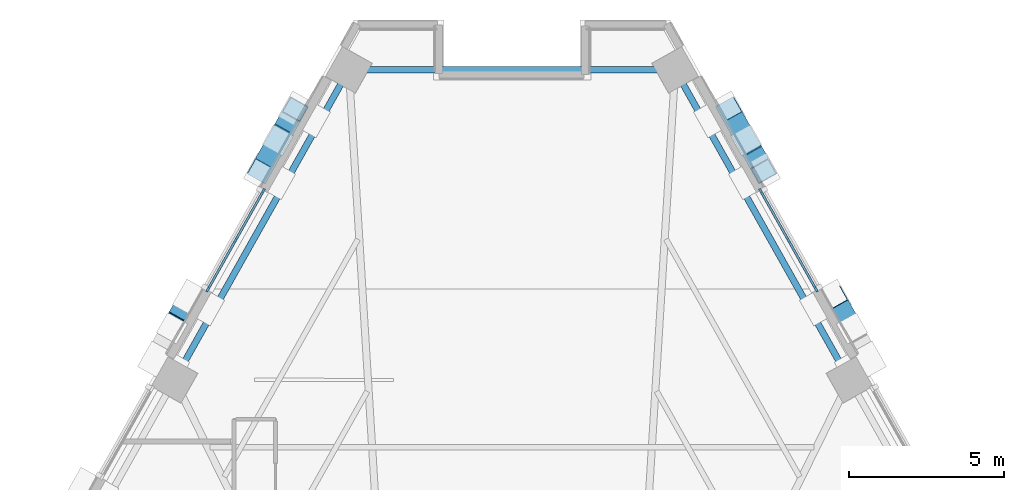
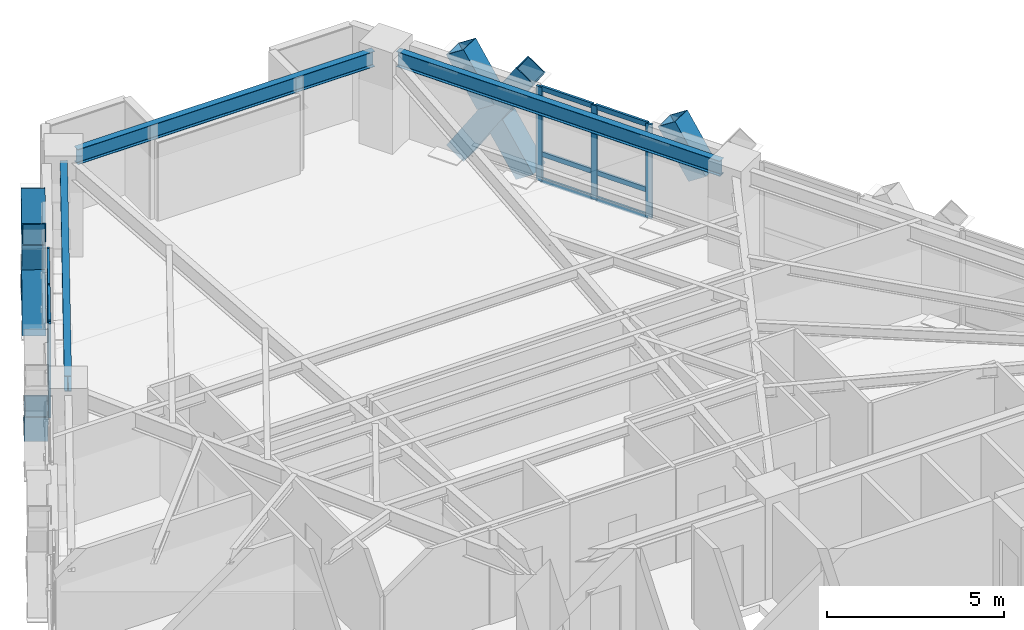
# One storey, part 5 of 14: 26 members, 3 beams, 2 elements without a shape of their own.
"""IFC4 building model written with IfcOpenShell, lengths in metres."""

import ifcopenshell
import ifcopenshell.guid

model = None  # the IFC model being written
_history = None  # IfcOwnerHistory: only IFC2X3 demands one
_inside = {}  # id of a spatial element -> (the spatial element, [elements in it])
_under = {}  # id of a project, library or spatial element -> (it, [spatial elements below it])
_declared = {}  # id of a project -> (the project, [libraries it declares])
_typed = {}  # id of a type object -> (the type object, [elements of that type])
_made_of = {}  # id of a material, layer set ... -> (it, [elements and type objects made of it])


def new_model(schema):
    """Start an empty IFC model of exactly this schema.

    Asked for "IFC4X3", IfcOpenShell would pick the latest addendum, in which some entities
    have other attributes; the version numbers below select the first issue.
    IFC2X3 requires an IfcOwnerHistory on every rooted entity: one is made here for all.
    """
    global model, _history
    if schema == "IFC4X3":
        model = ifcopenshell.file(schema_version=(4, 3, 0, 0))
    else:
        model = ifcopenshell.file(schema=schema)
    _inside.clear()
    _under.clear()
    _declared.clear()
    _typed.clear()
    _made_of.clear()
    _history = None
    if model.schema == "IFC2X3":
        org = make("IfcOrganization", Name="unknown")
        user = make(
            "IfcPersonAndOrganization",
            ThePerson=make("IfcPerson", FamilyName="unknown"),
            TheOrganization=org,
        )
        app = make(
            "IfcApplication",
            ApplicationDeveloper=org,
            Version="unknown",
            ApplicationFullName="unknown",
            ApplicationIdentifier="unknown",
        )
        _history = make(
            "IfcOwnerHistory",
            OwningUser=user,
            OwningApplication=app,
            ChangeAction="ADDED",
            CreationDate=0,
        )
    return model


def make(cls, **values):
    """One entity of the class cls with the attributes given. An attribute that is None is left unset."""
    return model.create_entity(
        cls, **{name: value for name, value in values.items() if value is not None}
    )


def rooted(cls, **values):
    """An entity with a GlobalId (a new one), such as an element, a storey or a relation."""
    return make(cls, GlobalId=ifcopenshell.guid.new(), OwnerHistory=_history, **values)


def si_unit(unit_type, name, prefix=None):
    """IfcSIUnit, for example si_unit("LENGTHUNIT", "METRE", prefix="MILLI")."""
    return make("IfcSIUnit", UnitType=unit_type, Prefix=prefix, Name=name)


def assignment(units):
    """IfcUnitAssignment: the units of a project."""
    return None if units is None else make("IfcUnitAssignment", Units=units)


def point(xyz):
    """IfcCartesianPoint."""
    return None if xyz is None else make("IfcCartesianPoint", Coordinates=xyz)


def direction(xyz):
    """IfcDirection."""
    return None if xyz is None else make("IfcDirection", DirectionRatios=xyz)


def frame(location, z_axis=None, x_axis=None):
    """IfcAxis2Placement3D, a coordinate frame: its origin and axes. An axis left out is left unset."""
    return make(
        "IfcAxis2Placement3D",
        Location=point(location),
        Axis=direction(z_axis),
        RefDirection=direction(x_axis),
    )


def frame_2d(location, x_axis=None):
    """IfcAxis2Placement2D, a coordinate frame in the plane: its origin and x axis."""
    return make(
        "IfcAxis2Placement2D", Location=point(location), RefDirection=direction(x_axis)
    )


def origin():
    """The frame at (0, 0, 0) with its axes left unset."""
    return frame((0.0, 0.0, 0.0))


def origin_2d():
    """The frame at (0, 0) in the plane with its x axis left unset."""
    return frame_2d((0.0, 0.0))


def place(relative_to, where):
    """IfcLocalPlacement: puts the frame where relative to a parent placement (None: the world)."""
    return make(
        "IfcLocalPlacement", PlacementRelTo=relative_to, RelativePlacement=where
    )


def context(
    kind, dimensions, precision=None, world=None, true_north=None, identifier=None
):
    """IfcGeometricRepresentationContext, for example the 3D "Model" context."""
    return make(
        "IfcGeometricRepresentationContext",
        ContextIdentifier=identifier,
        ContextType=kind,
        CoordinateSpaceDimension=dimensions,
        Precision=precision,
        WorldCoordinateSystem=world,
        TrueNorth=true_north,
    )


def subcontext(parent, identifier, kind, view, scale=None):
    """IfcGeometricRepresentationSubContext, for example "Body" below "Model"."""
    return make(
        "IfcGeometricRepresentationSubContext",
        ContextIdentifier=identifier,
        ContextType=kind,
        ParentContext=parent,
        TargetScale=scale,
        TargetView=view,
    )


def project(units=None, contexts=None):
    """IfcProject with its units and contexts."""
    return rooted(
        "IfcProject",
        Name="project",
        RepresentationContexts=contexts,
        UnitsInContext=assignment(units),
    )


def spatial(cls, under=None, at=None, **own):
    """A site, building, storey or space (cls), placed at a placement, below another one or the project."""
    s = rooted(cls, ObjectPlacement=at, **own)
    if under is not None:
        _under.setdefault(under.id(), (under, []))[1].append(s)
    return s


def profile(cls, at=None, kind="AREA", **sizes):
    """A parametric profile (cls). Its sizes go by their IFC names, for example OverallWidth=200.0."""
    return make(cls, ProfileType=kind, Position=at, **sizes)


def rectangle(**sizes):
    """IfcRectangleProfileDef."""
    return profile("IfcRectangleProfileDef", **sizes)


def hollow_rectangle(**sizes):
    """IfcRectangleHollowProfileDef."""
    return profile("IfcRectangleHollowProfileDef", **sizes)


def i_section(**sizes):
    """IfcIShapeProfileDef."""
    return profile("IfcIShapeProfileDef", **sizes)


def extrude(swept, where, along, depth):
    """IfcExtrudedAreaSolid: the profile swept, set in the frame where, extruded along a direction by depth."""
    return make(
        "IfcExtrudedAreaSolid",
        SweptArea=swept,
        Position=where,
        ExtrudedDirection=direction(along),
        Depth=depth,
    )


def shape(context_of_items, identifier, shape_type, items):
    """IfcShapeRepresentation: the items that make up one representation, for example the "Body"."""
    return make(
        "IfcShapeRepresentation",
        ContextOfItems=context_of_items,
        RepresentationIdentifier=identifier,
        RepresentationType=shape_type,
        Items=items,
    )


def material(Name=None, Category=None):
    """IfcMaterial."""
    return make("IfcMaterial", Name=Name, Category=Category)


def material_profile(
    of_material, cross_section, Name=None, Category=None, Priority=None
):
    """IfcMaterialProfile: a cross section and its material."""
    return make(
        "IfcMaterialProfile",
        Name=Name,
        Material=of_material,
        Profile=cross_section,
        Priority=Priority,
        Category=Category,
    )


def profile_set(profiles, Name=None, composite=None):
    """IfcMaterialProfileSet."""
    return make(
        "IfcMaterialProfileSet",
        Name=Name,
        MaterialProfiles=profiles,
        CompositeProfile=composite,
    )


def made_of(thing, what):
    """Note that an element or type object is made of a material, layer set ...; save() writes the relation."""
    if what is not None:
        _made_of.setdefault(what.id(), (what, []))[1].append(thing)
    return thing


def type_object(cls, material=None, **own):
    """A type object (cls), such as IfcWallType, which elements share."""
    return made_of(rooted(cls, **own), material)


def element(
    cls,
    number,
    at=None,
    inside=None,
    cuts=None,
    type_object=None,
    material=None,
    context=None,
    identifier="Body",
    shape_type=None,
    held_by="IfcProductDefinitionShape",
    body=None,
    shapes=None,
    **own,
):
    """One element of the class cls, such as IfcWall. Its Tag is "e" and its number.

    at: its placement. inside: the storey or other place that contains it. cuts: it is an
    opening in that element (IfcRelVoidsElement). A single representation is given by context,
    identifier, shape_type and body (its items); several are given by shapes. held_by: the class
    of the entity that holds the representations. save() writes the other relations.
    """
    e = rooted(cls, Tag="e%d" % number, ObjectPlacement=at, **own)
    if body is not None:
        shapes = [shape(context, identifier, shape_type, body)]
    if shapes is not None:
        e.Representation = make(held_by, Representations=shapes)
    if inside is not None:
        _inside.setdefault(inside.id(), (inside, []))[1].append(e)
    if cuts is not None:
        rooted(
            "IfcRelVoidsElement", RelatingBuildingElement=cuts, RelatedOpeningElement=e
        )
    if type_object is not None:
        _typed.setdefault(type_object.id(), (type_object, []))[1].append(e)
    return made_of(e, material)


def aggregate(whole, parts):
    """IfcRelAggregates: a whole, such as a stair, and the parts it consists of."""
    return rooted("IfcRelAggregates", RelatingObject=whole, RelatedObjects=parts)


def save(model, path):
    """Write the relations noted so far, then the file.

    IfcRelAggregates (storeys below a building ...), IfcRelContainedInSpatialStructure (elements
    in a storey), IfcRelDefinesByType, IfcRelAssociatesMaterial and IfcRelDeclares: one each for
    every whole, place, type object, material and project.
    """
    for whole, parts in _under.values():
        aggregate(whole, parts)
    for where, things in _inside.values():
        rooted(
            "IfcRelContainedInSpatialStructure",
            RelatedElements=things,
            RelatingStructure=where,
        )
    for kind, things in _typed.values():
        rooted("IfcRelDefinesByType", RelatedObjects=things, RelatingType=kind)
    for what, things in _made_of.values():
        rooted("IfcRelAssociatesMaterial", RelatedObjects=things, RelatingMaterial=what)
    for by, libraries in _declared.values():
        rooted("IfcRelDeclares", RelatingContext=by, RelatedDefinitions=libraries)
    model.write(path)


model = new_model("IFC4")

# Units and contexts
model_context = context("Model", 3, precision=1e-05, world=origin(), true_north=direction((0.0, 1.0)))
body_context = subcontext(model_context, "Body", "Model", "MODEL_VIEW")
ifc_project = project(units=[si_unit("LENGTHUNIT", "METRE"), si_unit("AREAUNIT", "SQUARE_METRE"), si_unit("VOLUMEUNIT", "CUBIC_METRE"), si_unit("PLANEANGLEUNIT", "RADIAN"), si_unit("MASSUNIT", "GRAM", prefix="KILO")], contexts=[model_context])

# Site, building, storey
site_placement = place(None, origin())
site = spatial("IfcSite", under=ifc_project, at=site_placement, CompositionType="ELEMENT")
building_placement = place(site_placement, origin())
building = spatial("IfcBuilding", under=site, at=building_placement, Name="Quenlor Broadcast Tower", CompositionType="ELEMENT")
storey_placement = place(building_placement, frame((0.0, 0.0, 123.0)))
storey = spatial("IfcBuildingStorey", under=building, at=storey_placement, Name="L33", CompositionType="ELEMENT", Elevation=123.0)

# Curtain wall, members
ifc_material_1 = material(Name="Architectural Terracotta and Low-E Glazing", Category="masonry")
curtain_wall_type = type_object("IfcCurtainWallType", Name="Unitised Terracotta Curtain Wall System Z2", PredefinedType="NOTDEFINED", material=ifc_material_1)
curtain_wall_1_placement = place(storey_placement, origin())
curtain_wall_1 = element("IfcCurtainWall", 1, at=curtain_wall_1_placement, inside=storey, type_object=curtain_wall_type, Name="L33 Curtain Wall CW2 (L33-NEA-G1)", PredefinedType="NOTDEFINED")
ifc_material_2 = material(Name="Aluminium 6063-T6", Category="aluminium")
ifc_material_profile_1 = material_profile(ifc_material_2, rectangle(XDim=0.074951171875, YDim=0.199951171875, at=origin_2d()))
ifc_profile_set_1 = profile_set([ifc_material_profile_1], Name="Aluminium 6063-T6 MULL75x200")
member_type_1 = type_object("IfcMemberType", Name="CW2 Aluminium Mullion MULL_CW2", PredefinedType="MULLION", material=ifc_profile_set_1)
member_1_placement = place(storey_placement, frame((8.031005859375, 15.79638671875, 0.0), z_axis=(0.0, 0.0, 1.0), x_axis=(0.871573362898, 0.490265104904, 0.0)))
member_1 = element("IfcMember", 2, at=member_1_placement, type_object=member_type_1, Name="CW2 mullion 1", PredefinedType="MULLION", context=body_context, shape_type="SweptSolid", body=[
    extrude(rectangle(XDim=0.074951171875, YDim=0.199951171875, at=origin_2d()), origin(), (0.0, 0.0, 1.0), 3.25),
])
member_2_placement = place(storey_placement, frame((8.916015625, 14.22314453125, 0.0), z_axis=(0.0, 0.0, 1.0), x_axis=(0.871573362898, 0.490265104904, 0.0)))
member_2 = element("IfcMember", 3, at=member_2_placement, type_object=member_type_1, Name="CW2 mullion 2", PredefinedType="MULLION", context=body_context, shape_type="SweptSolid", body=[
    extrude(rectangle(XDim=0.074951171875, YDim=0.199951171875, at=origin_2d()), origin(), (0.0, 0.0, 1.0), 3.25),
])
member_3_placement = place(storey_placement, frame((9.80078125, 12.64990234375, 0.0), z_axis=(0.0, 0.0, 1.0), x_axis=(0.871573362898, 0.490265104904, 0.0)))
member_3 = element("IfcMember", 4, at=member_3_placement, type_object=member_type_1, Name="CW2 mullion 3", PredefinedType="MULLION", context=body_context, shape_type="SweptSolid", body=[
    extrude(rectangle(XDim=0.074951171875, YDim=0.199951171875, at=origin_2d()), origin(), (0.0, 0.0, 1.0), 3.25),
])

curtain_wall_2_placement = place(storey_placement, origin())
curtain_wall_2 = element("IfcCurtainWall", 5, at=curtain_wall_2_placement, inside=storey, type_object=curtain_wall_type, Name="L33 Curtain Wall CW2 (L33-NWC-G1)", PredefinedType="NOTDEFINED")
member_4_placement = place(storey_placement, frame((-9.80078125, 12.64990234375, 0.0), z_axis=(0.0, 0.0, 1.0), x_axis=(-0.871573362898, 0.490265104904, 0.0)))
member_4 = element("IfcMember", 6, at=member_4_placement, type_object=member_type_1, Name="CW2 mullion 1", PredefinedType="MULLION", context=body_context, shape_type="SweptSolid", body=[
    extrude(rectangle(XDim=0.074951171875, YDim=0.199951171875, at=origin_2d()), origin(), (0.0, 0.0, 1.0), 3.25),
])
member_5_placement = place(storey_placement, frame((-8.916015625, 14.22314453125, 0.0), z_axis=(0.0, 0.0, 1.0), x_axis=(-0.871573362898, 0.490265104904, 0.0)))
member_5 = element("IfcMember", 7, at=member_5_placement, type_object=member_type_1, Name="CW2 mullion 2", PredefinedType="MULLION", context=body_context, shape_type="SweptSolid", body=[
    extrude(rectangle(XDim=0.074951171875, YDim=0.199951171875, at=origin_2d()), origin(), (0.0, 0.0, 1.0), 3.25),
])
member_6_placement = place(storey_placement, frame((-8.031005859375, 15.79638671875, 0.0), z_axis=(0.0, 0.0, 1.0), x_axis=(-0.871573362898, 0.490265104904, 0.0)))
member_6 = element("IfcMember", 8, at=member_6_placement, type_object=member_type_1, Name="CW2 mullion 3", PredefinedType="MULLION", context=body_context, shape_type="SweptSolid", body=[
    extrude(rectangle(XDim=0.074951171875, YDim=0.199951171875, at=origin_2d()), origin(), (0.0, 0.0, 1.0), 3.25),
])

# Member
ifc_material_3 = material(Name="Aluminium 6063-T6", Category="aluminium")
ifc_material_profile_2 = material_profile(ifc_material_3, rectangle(XDim=0.074951171875, YDim=0.1650390625, at=origin_2d()))
ifc_profile_set_2 = profile_set([ifc_material_profile_2], Name="Aluminium 6063-T6 TRAN75x165")
member_type_2 = type_object("IfcMemberType", Name="CW2 Aluminium Transom TRAN_CW2", PredefinedType="USERDEFINED", material=ifc_profile_set_2)
member_7_placement = place(storey_placement, frame((8.04931640625, 15.763671875, 0.03759765625), z_axis=(0.490261239633, -0.871575537125, 0.0), x_axis=(0.871575537125, 0.490261239633, 0.0)))
member_7 = element("IfcMember", 9, at=member_7_placement, type_object=member_type_2, Name="CW2 transom 1.1", ObjectType="TRANSOM", PredefinedType="USERDEFINED", context=body_context, shape_type="SweptSolid", body=[
    extrude(rectangle(XDim=0.074951171875, YDim=0.1650390625, at=origin_2d()), origin(), (0.0, 0.0, 1.0), 1.72998046875),
])

member_8_placement = place(storey_placement, frame((8.04931640625, 15.763671875, 0.949951171875), z_axis=(0.490261239633, -0.871575537125, 0.0), x_axis=(0.871575537125, 0.490261239633, 0.0)))
member_8 = element("IfcMember", 10, at=member_8_placement, type_object=member_type_2, Name="CW2 transom 1.2", ObjectType="TRANSOM", PredefinedType="USERDEFINED", context=body_context, shape_type="SweptSolid", body=[
    extrude(rectangle(XDim=0.074951171875, YDim=0.1650390625, at=origin_2d()), origin(), (0.0, 0.0, 1.0), 1.72998046875),
])

member_9_placement = place(storey_placement, frame((8.04931640625, 15.763671875, 3.21240234375), z_axis=(0.490261239633, -0.871575537125, 0.0), x_axis=(0.871575537125, 0.490261239633, 0.0)))
member_9 = element("IfcMember", 11, at=member_9_placement, type_object=member_type_2, Name="CW2 transom 1.3", ObjectType="TRANSOM", PredefinedType="USERDEFINED", context=body_context, shape_type="SweptSolid", body=[
    extrude(rectangle(XDim=0.074951171875, YDim=0.1650390625, at=origin_2d()), origin(), (0.0, 0.0, 1.0), 1.72998046875),
])

member_10_placement = place(storey_placement, frame((8.934326171875, 14.1904296875, 0.03759765625), z_axis=(0.490261239633, -0.871575537125, 0.0), x_axis=(0.871575537125, 0.490261239633, 0.0)))
member_10 = element("IfcMember", 12, at=member_10_placement, type_object=member_type_2, Name="CW2 transom 2.1", ObjectType="TRANSOM", PredefinedType="USERDEFINED", context=body_context, shape_type="SweptSolid", body=[
    extrude(rectangle(XDim=0.074951171875, YDim=0.1650390625, at=origin_2d()), origin(), (0.0, 0.0, 1.0), 1.72998046875),
])

member_11_placement = place(storey_placement, frame((8.934326171875, 14.1904296875, 0.949951171875), z_axis=(0.490261239633, -0.871575537125, 0.0), x_axis=(0.871575537125, 0.490261239633, 0.0)))
member_11 = element("IfcMember", 13, at=member_11_placement, type_object=member_type_2, Name="CW2 transom 2.2", ObjectType="TRANSOM", PredefinedType="USERDEFINED", context=body_context, shape_type="SweptSolid", body=[
    extrude(rectangle(XDim=0.074951171875, YDim=0.1650390625, at=origin_2d()), origin(), (0.0, 0.0, 1.0), 1.72998046875),
])

member_12_placement = place(storey_placement, frame((8.934326171875, 14.1904296875, 3.21240234375), z_axis=(0.490261239633, -0.871575537125, 0.0), x_axis=(0.871575537125, 0.490261239633, 0.0)))
member_12 = element("IfcMember", 14, at=member_12_placement, type_object=member_type_2, Name="CW2 transom 2.3", ObjectType="TRANSOM", PredefinedType="USERDEFINED", context=body_context, shape_type="SweptSolid", body=[
    extrude(rectangle(XDim=0.074951171875, YDim=0.1650390625, at=origin_2d()), origin(), (0.0, 0.0, 1.0), 1.72998046875),
])

aggregate(curtain_wall_1, [member_1, member_2, member_3, member_7, member_8, member_9, member_10, member_11, member_12])

member_13_placement = place(storey_placement, frame((-9.782470703125, 12.6826171875, 0.03759765625), z_axis=(0.490261239633, 0.871575537125, 0.0), x_axis=(-0.871575537125, 0.490261239633, 0.0)))
member_13 = element("IfcMember", 15, at=member_13_placement, type_object=member_type_2, Name="CW2 transom 1.1", ObjectType="TRANSOM", PredefinedType="USERDEFINED", context=body_context, shape_type="SweptSolid", body=[
    extrude(rectangle(XDim=0.074951171875, YDim=0.1650390625, at=origin_2d()), origin(), (0.0, 0.0, 1.0), 1.72998046875),
])

member_14_placement = place(storey_placement, frame((-9.782470703125, 12.6826171875, 0.949951171875), z_axis=(0.490261239633, 0.871575537125, 0.0), x_axis=(-0.871575537125, 0.490261239633, 0.0)))
member_14 = element("IfcMember", 16, at=member_14_placement, type_object=member_type_2, Name="CW2 transom 1.2", ObjectType="TRANSOM", PredefinedType="USERDEFINED", context=body_context, shape_type="SweptSolid", body=[
    extrude(rectangle(XDim=0.074951171875, YDim=0.1650390625, at=origin_2d()), origin(), (0.0, 0.0, 1.0), 1.72998046875),
])

member_15_placement = place(storey_placement, frame((-9.782470703125, 12.6826171875, 3.21240234375), z_axis=(0.490261239633, 0.871575537125, 0.0), x_axis=(-0.871575537125, 0.490261239633, 0.0)))
member_15 = element("IfcMember", 17, at=member_15_placement, type_object=member_type_2, Name="CW2 transom 1.3", ObjectType="TRANSOM", PredefinedType="USERDEFINED", context=body_context, shape_type="SweptSolid", body=[
    extrude(rectangle(XDim=0.074951171875, YDim=0.1650390625, at=origin_2d()), origin(), (0.0, 0.0, 1.0), 1.72998046875),
])

member_16_placement = place(storey_placement, frame((-8.8974609375, 14.255859375, 0.03759765625), z_axis=(0.490261239633, 0.871575537125, 0.0), x_axis=(-0.871575537125, 0.490261239633, 0.0)))
member_16 = element("IfcMember", 18, at=member_16_placement, type_object=member_type_2, Name="CW2 transom 2.1", ObjectType="TRANSOM", PredefinedType="USERDEFINED", context=body_context, shape_type="SweptSolid", body=[
    extrude(rectangle(XDim=0.074951171875, YDim=0.1650390625, at=origin_2d()), origin(), (0.0, 0.0, 1.0), 1.72998046875),
])

member_17_placement = place(storey_placement, frame((-8.8974609375, 14.255859375, 0.949951171875), z_axis=(0.490261239633, 0.871575537125, 0.0), x_axis=(-0.871575537125, 0.490261239633, 0.0)))
member_17 = element("IfcMember", 19, at=member_17_placement, type_object=member_type_2, Name="CW2 transom 2.2", ObjectType="TRANSOM", PredefinedType="USERDEFINED", context=body_context, shape_type="SweptSolid", body=[
    extrude(rectangle(XDim=0.074951171875, YDim=0.1650390625, at=origin_2d()), origin(), (0.0, 0.0, 1.0), 1.72998046875),
])

member_18_placement = place(storey_placement, frame((-8.8974609375, 14.255859375, 3.21240234375), z_axis=(0.490261239633, 0.871575537125, 0.0), x_axis=(-0.871575537125, 0.490261239633, 0.0)))
member_18 = element("IfcMember", 20, at=member_18_placement, type_object=member_type_2, Name="CW2 transom 2.3", ObjectType="TRANSOM", PredefinedType="USERDEFINED", context=body_context, shape_type="SweptSolid", body=[
    extrude(rectangle(XDim=0.074951171875, YDim=0.1650390625, at=origin_2d()), origin(), (0.0, 0.0, 1.0), 1.72998046875),
])

aggregate(curtain_wall_2, [member_4, member_5, member_6, member_13, member_14, member_15, member_16, member_17, member_18])

# Members
ifc_material_4 = material(Name="Steel S355", Category="steel")
ifc_material_profile_3 = material_profile(ifc_material_4, hollow_rectangle(XDim=0.679931640625, YDim=0.679931640625, WallThickness=0.030029296875, at=origin_2d()))
ifc_profile_set_3 = profile_set([ifc_material_profile_3], Name="Steel S355 RHS680x680x30")
member_type_3 = type_object("IfcMemberType", Name="Perimeter Diagonal Lattice Brace Z2 Steel S355 RHS680x30", PredefinedType="BRACE", material=ifc_profile_set_3)
member_19_placement = place(storey_placement, frame((6.99169921875, 18.44970703125, -0.1201171875), z_axis=(0.26858823371, -0.477600411236, 0.836515515636), x_axis=(0.871623880158, 0.490175286544, 0.0)))
element("IfcMember", 21, at=member_19_placement, inside=storey, type_object=member_type_3, Name="L33 Perimeter Diamond Lattice NE-C1XA", PredefinedType="BRACE", context=body_context, shape_type="SweptSolid", body=[
    extrude(hollow_rectangle(XDim=0.679931640625, YDim=0.679931640625, WallThickness=0.030029296875, at=origin_2d()), origin(), (0.0, 0.0, 1.0), 4.18408203125),
])
member_20_placement = place(storey_placement, frame((8.115478515625, 16.451416015625, -0.1201171875), z_axis=(-0.268503779961, 0.477634562182, 0.836523128883), x_axis=(-0.871704696361, -0.490031552394, 0.0)))
element("IfcMember", 22, at=member_20_placement, inside=storey, type_object=member_type_3, Name="L33 Perimeter Diamond Lattice NE-C1XB1", PredefinedType="BRACE", context=body_context, shape_type="SweptSolid", body=[
    extrude(hollow_rectangle(XDim=0.679931640625, YDim=0.679931640625, WallThickness=0.030029296875, at=origin_2d()), origin(), (0.0, 0.0, 1.0), 1.84228515625),
])
member_21_placement = place(storey_placement, frame((7.486328125, 17.570068359375, 1.839111328125), z_axis=(-0.268550551161, 0.477585210185, 0.836536292389), x_axis=(-0.871646597174, -0.490134889224, 0.0)))
element("IfcMember", 23, at=member_21_placement, inside=storey, type_object=member_type_3, Name="L33 Perimeter Diamond Lattice NE-C1XB2", PredefinedType="BRACE", context=body_context, shape_type="SweptSolid", body=[
    extrude(hollow_rectangle(XDim=0.679931640625, YDim=0.679931640625, WallThickness=0.030029296875, at=origin_2d()), origin(), (0.0, 0.0, 1.0), 1.841796875),
])
member_22_placement = place(storey_placement, frame((10.8994140625, 11.502197265625, 1.839111328125), z_axis=(-0.268533549845, 0.477687519073, 0.836483333205), x_axis=(-0.871704696361, -0.490031552394, 0.0)))
element("IfcMember", 24, at=member_22_placement, inside=storey, type_object=member_type_3, Name="L33 Perimeter Diamond Lattice NE-C2XB2", PredefinedType="BRACE", context=body_context, shape_type="SweptSolid", body=[
    extrude(hollow_rectangle(XDim=0.679931640625, YDim=0.679931640625, WallThickness=0.030029296875, at=origin_2d()), origin(), (0.0, 0.0, 1.0), 1.842041015625),
])
member_23_placement = place(storey_placement, frame((-10.40478515625, 12.382080078125, -0.1201171875), z_axis=(-0.268503779961, -0.477634562182, 0.836523128883), x_axis=(0.871704696361, -0.490031552394, 0.0)))
element("IfcMember", 25, at=member_23_placement, inside=storey, type_object=member_type_3, Name="L33 Perimeter Diamond Lattice NW-C4XB1", PredefinedType="BRACE", context=body_context, shape_type="SweptSolid", body=[
    extrude(hollow_rectangle(XDim=0.679931640625, YDim=0.679931640625, WallThickness=0.030029296875, at=origin_2d()), origin(), (0.0, 0.0, 1.0), 1.84228515625),
])
member_24_placement = place(storey_placement, frame((-8.115478515625, 16.451416015625, -0.1201171875), z_axis=(0.26858823371, 0.477600411236, 0.836515515636), x_axis=(-0.871623880158, 0.490175286544, 0.0)))
element("IfcMember", 26, at=member_24_placement, inside=storey, type_object=member_type_3, Name="L33 Perimeter Diamond Lattice NW-C5XA", PredefinedType="BRACE", context=body_context, shape_type="SweptSolid", body=[
    extrude(hollow_rectangle(XDim=0.679931640625, YDim=0.679931640625, WallThickness=0.030029296875, at=origin_2d()), origin(), (0.0, 0.0, 1.0), 4.18408203125),
])
for number, where, z_axis, x_axis, name in (
    (27, (-6.99169921875, 18.44970703125, -0.1201171875), (-0.268520775624, -0.477532257933, 0.836576078843), (0.871646597174, -0.490134889224, 0.0), "L33 Perimeter Diamond Lattice NW-C5XB1"),
    (28, (-7.620849609375, 17.331298828125, 1.839111328125), (-0.268533549845, -0.477687519073, 0.836483333205), (0.871704696361, -0.490031552394, 0.0), "L33 Perimeter Diamond Lattice NW-C5XB2"),
):
    element("IfcMember", number, at=place(storey_placement, frame(where, z_axis=z_axis, x_axis=x_axis)), inside=storey, type_object=member_type_3, Name=name, PredefinedType="BRACE", context=body_context, shape_type="SweptSolid", body=[
        extrude(hollow_rectangle(XDim=0.679931640625, YDim=0.679931640625, WallThickness=0.030029296875, at=origin_2d()), origin(), (0.0, 0.0, 1.0), 1.842041015625),
    ])

# Beams
ifc_material_5 = material(Name="Steel S355", Category="steel")
ifc_material_profile_4 = material_profile(ifc_material_5, i_section(OverallWidth=0.208984375, OverallDepth=0.5283203125, WebThickness=0.009521484375, FlangeThickness=0.01318359375, FilletRadius=0.013916015625, at=origin_2d()))
ifc_profile_set_4 = profile_set([ifc_material_profile_4], Name="Steel S355 530UB82.0")
beam_type = type_object("IfcBeamType", Name="Perimeter Spandrel Beam Z2 Steel S355 530UB82.0", PredefinedType="SPANDREL", material=ifc_profile_set_4)
beam_1_placement = place(storey_placement, frame((10.685791015625, 10.076904296875, 2.98583984375), z_axis=(-0.490236213386, 0.871589613916, 0.0), x_axis=(-0.871589613916, -0.490236213386, 0.0)))
element("IfcBeam", 29, at=beam_1_placement, inside=storey, type_object=beam_type, Name="L33 Spandrel Beam NE3-NE4", PredefinedType="SPANDREL", context=body_context, shape_type="SweptSolid", body=[
    extrude(i_section(OverallWidth=0.208984375, OverallDepth=0.5283203125, WebThickness=0.009521484375, FlangeThickness=0.01318359375, FilletRadius=0.013916015625, at=origin_2d()), origin(), (0.0, 0.0, 1.0), 10.65283203125),
])
beam_2_placement = place(storey_placement, frame((4.852294921875, 19.718994140625, 2.98583984375), z_axis=(-1.0, 0.0, 0.0), x_axis=(0.0, -1.0, 0.0)))
element("IfcBeam", 30, at=beam_2_placement, inside=storey, type_object=beam_type, Name="L33 Spandrel Beam NE4-NW1", PredefinedType="SPANDREL", context=body_context, shape_type="SweptSolid", body=[
    extrude(i_section(OverallWidth=0.208984375, OverallDepth=0.5283203125, WebThickness=0.009521484375, FlangeThickness=0.01318359375, FilletRadius=0.013916015625, at=origin_2d()), origin(), (0.0, 0.0, 1.0), 9.70458984375),
])
beam_3_placement = place(storey_placement, frame((-5.46337890625, 19.36181640625, 2.98583984375), z_axis=(-0.490236213386, -0.871589613916, 0.0), x_axis=(0.871589613916, -0.490236213386, 0.0)))
element("IfcBeam", 31, at=beam_3_placement, inside=storey, type_object=beam_type, Name="L33 Spandrel Beam NW1-NW2", PredefinedType="SPANDREL", context=body_context, shape_type="SweptSolid", body=[
    extrude(i_section(OverallWidth=0.208984375, OverallDepth=0.5283203125, WebThickness=0.009521484375, FlangeThickness=0.01318359375, FilletRadius=0.013916015625, at=origin_2d()), origin(), (0.0, 0.0, 1.0), 10.65283203125),
])

save(model, "model.ifc")
